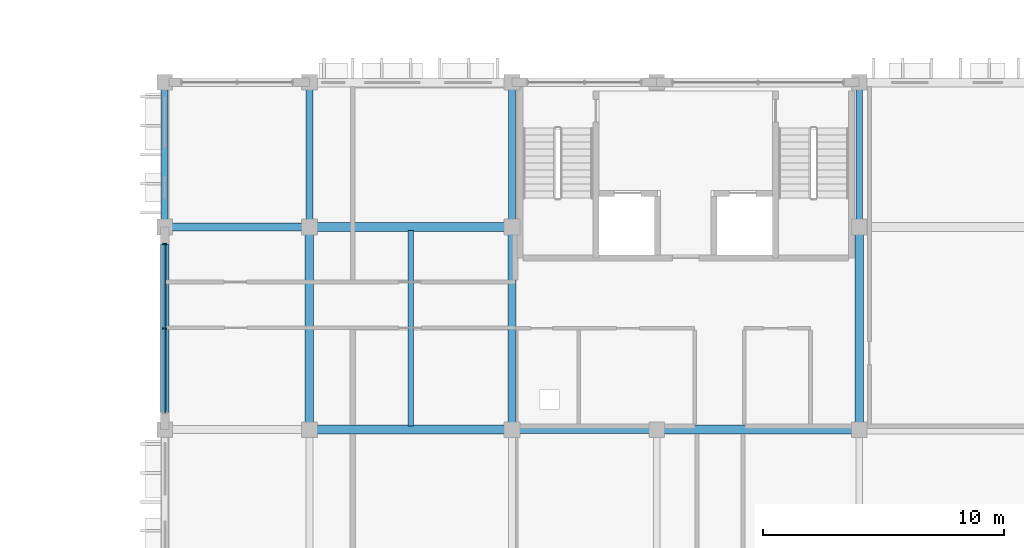
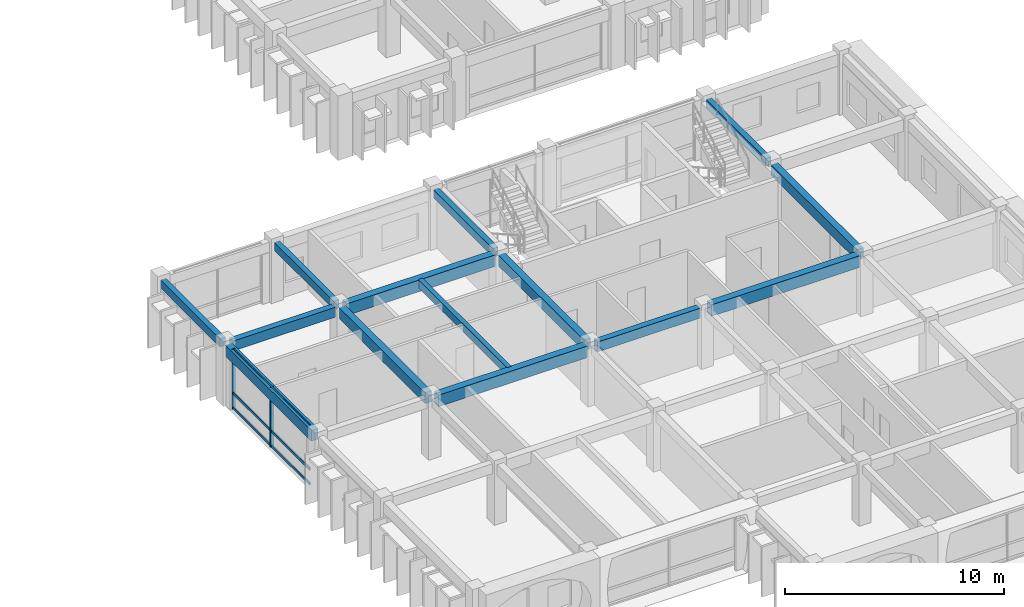
# One storey, part 35 of 88: 14 beams, 5 members, 1 element without a shape of its own.
"""IFC4 building model written with IfcOpenShell, lengths in metres."""

from ifc_helpers import new_model, si_unit, direction, frame, origin, origin_2d, place, context, subcontext, project, spatial, rectangle, extrude, material, material_profile, profile_set, type_object, element, aggregate, save


model = new_model("IFC4")

# Units and contexts
model_context = context("Model", 3, precision=1e-05, world=origin(), true_north=direction((0.0, 1.0)))
body_context = subcontext(model_context, "Body", "Model", "MODEL_VIEW")
ifc_project = project(units=[si_unit("LENGTHUNIT", "METRE"), si_unit("AREAUNIT", "SQUARE_METRE"), si_unit("VOLUMEUNIT", "CUBIC_METRE"), si_unit("PLANEANGLEUNIT", "RADIAN"), si_unit("MASSUNIT", "GRAM", prefix="KILO"), si_unit("THERMODYNAMICTEMPERATUREUNIT", "KELVIN")], contexts=[model_context])

# Site, building, storey
site_placement = place(None, origin())
site = spatial("IfcSite", under=ifc_project, at=site_placement, CompositionType="ELEMENT")
building_placement = place(site_placement, origin())
building = spatial("IfcBuilding", under=site, at=building_placement, Name="Thalorik Housing Commons", CompositionType="ELEMENT")
storey_placement = place(building_placement, frame((0.0, 0.0, 4.5)))
storey = spatial("IfcBuildingStorey", under=building, at=storey_placement, Name="L01", CompositionType="ELEMENT", Elevation=4.5)

# Curtain wall, members
ifc_material_1 = material(Name="Anodised aluminium and solar-control low-E glass", Category="aluminium")
curtain_wall_type = type_object("IfcCurtainWallType", Name="ARC-CW-LOUNGE", PredefinedType="USERDEFINED", material=ifc_material_1)
curtain_wall_placement = place(storey_placement, origin())
curtain_wall = element("IfcCurtainWall", 1, at=curtain_wall_placement, inside=storey, type_object=curtain_wall_type, Name="L01 Curtain Wall CW-RES-L01-D-174", ObjectType="CURTAIN WALL", PredefinedType="USERDEFINED")
ifc_material_2 = material(Name="Anodised aluminium 6063-T6", Category="aluminium")
ifc_material_profile_1 = material_profile(ifc_material_2, rectangle(XDim=0.06494140625, YDim=0.179931640625, at=origin_2d()), Name="ALU MUL 65x180", Category="aluminium")
ifc_profile_set_1 = profile_set([ifc_material_profile_1], Name="Anodised aluminium 6063-T6")
member_type_1 = type_object("IfcMemberType", Name="ARC-CW-MUL-65x180", PredefinedType="MULLION", material=ifc_profile_set_1)
member_1_placement = place(storey_placement, frame((138.0, 65.300048828125, 0.0), z_axis=(0.0, 0.0, 1.0), x_axis=(0.0, -1.0, 0.0)))
member_1 = element("IfcMember", 2, at=member_1_placement, type_object=member_type_1, Name="CW-RES-L01-D-174 Mullion 1", PredefinedType="MULLION", context=body_context, shape_type="SweptSolid", body=[
    extrude(rectangle(XDim=0.06494140625, YDim=0.179931640625, at=origin_2d()), origin(), (0.0, 0.0, 1.0), 3.340087890625),
])
member_2_placement = place(storey_placement, frame((138.0, 61.800048828125, 0.0), z_axis=(0.0, 0.0, 1.0), x_axis=(0.0, -1.0, 0.0)))
member_2 = element("IfcMember", 3, at=member_2_placement, type_object=member_type_1, Name="CW-RES-L01-D-174 Mullion 2", PredefinedType="MULLION", context=body_context, shape_type="SweptSolid", body=[
    extrude(rectangle(XDim=0.06494140625, YDim=0.179931640625, at=origin_2d()), origin(), (0.0, 0.0, 1.0), 3.340087890625),
])
ifc_material_profile_2 = material_profile(ifc_material_2, rectangle(XDim=0.06494140625, YDim=0.14990234375, at=origin_2d()), Name="ALU TRN 65x150", Category="aluminium")
ifc_profile_set_2 = profile_set([ifc_material_profile_2], Name="Anodised aluminium 6063-T6")
member_type_2 = type_object("IfcMemberType", Name="ARC-CW-TRN-65x150", PredefinedType="USERDEFINED", material=ifc_profile_set_2)
member_3_placement = place(storey_placement, frame((138.0, 65.300048828125, 0.054931640625), z_axis=(0.0, -1.0, 0.0), x_axis=(1.0, 0.0, 0.0)))
member_3 = element("IfcMember", 4, at=member_3_placement, type_object=member_type_2, Name="CW-RES-L01-D-174 Transom 1", ObjectType="TRANSOM", PredefinedType="USERDEFINED", context=body_context, shape_type="SweptSolid", body=[
    extrude(rectangle(XDim=0.06494140625, YDim=0.14990234375, at=origin_2d()), origin(), (0.0, 0.0, 1.0), 7.0),
])
member_4_placement = place(storey_placement, frame((138.0, 65.300048828125, 0.8798828125), z_axis=(0.0, -1.0, 0.0), x_axis=(1.0, 0.0, 0.0)))
member_4 = element("IfcMember", 5, at=member_4_placement, type_object=member_type_2, Name="CW-RES-L01-D-174 Transom 2", ObjectType="TRANSOM", PredefinedType="USERDEFINED", context=body_context, shape_type="SweptSolid", body=[
    extrude(rectangle(XDim=0.06494140625, YDim=0.14990234375, at=origin_2d()), origin(), (0.0, 0.0, 1.0), 7.0),
])
member_5_placement = place(storey_placement, frame((138.0, 65.300048828125, 3.284912109375), z_axis=(0.0, -1.0, 0.0), x_axis=(1.0, 0.0, 0.0)))
member_5 = element("IfcMember", 6, at=member_5_placement, type_object=member_type_2, Name="CW-RES-L01-D-174 Transom 3", ObjectType="TRANSOM", PredefinedType="USERDEFINED", context=body_context, shape_type="SweptSolid", body=[
    extrude(rectangle(XDim=0.06494140625, YDim=0.14990234375, at=origin_2d()), origin(), (0.0, 0.0, 1.0), 7.0),
])
aggregate(curtain_wall, [member_1, member_2, member_3, member_4, member_5])

# Beams
ifc_material_3 = material(Name="Precast concrete C40/50", Category="concrete")
ifc_material_profile_3 = material_profile(ifc_material_3, rectangle(XDim=0.280029296875, YDim=0.449951171875, at=origin_2d()), Name="PC 280x450", Category="concrete")
ifc_profile_set_3 = profile_set([ifc_material_profile_3], Name="Precast concrete C40/50")
beam_type_1 = type_object("IfcBeamType", Name="STR-BM-PC280x450", PredefinedType="BEAM", material=ifc_profile_set_3)
for number, where, z_axis, x_axis, name in (
    (7, (138.0, 66.27490234375, 3.114990234375), (0.0, 1.0, 0.0), (-1.0, 0.0, 0.0), "L01 Beam B-450"),
    (8, (144.0, 66.27490234375, 3.114990234375), (0.0, 1.0, 0.0), (-1.0, 0.0, 0.0), "L01 Beam B-450"),
    (9, (152.39990234375, 66.27490234375, 3.114990234375), (0.0, 1.0, 0.0), (-1.0, 0.0, 0.0), "L01 Beam B-450"),
    (10, (166.800048828125, 66.27490234375, 3.114990234375), (0.0, 1.0, 0.0), (-1.0, 0.0, 0.0), "L01 Beam B-450"),
):
    element("IfcBeam", number, at=place(storey_placement, frame(where, z_axis=z_axis, x_axis=x_axis)), inside=storey, type_object=beam_type_1, Name=name, PredefinedType="BEAM", context=body_context, shape_type="SweptSolid", body=[
        extrude(rectangle(XDim=0.280029296875, YDim=0.449951171875, at=origin_2d()), origin(), (0.0, 0.0, 1.0), 5.4501953125),
    ])
ifc_material_profile_4 = material_profile(ifc_material_3, rectangle(XDim=0.320068359375, YDim=0.550048828125, at=origin_2d()), Name="PC 320x550", Category="concrete")
ifc_profile_set_4 = profile_set([ifc_material_profile_4], Name="Precast concrete C40/50")
beam_type_2 = type_object("IfcBeamType", Name="STR-BM-PC320x550", PredefinedType="BEAM", material=ifc_profile_set_4)
beam_1_placement = place(storey_placement, frame((152.675048828125, 57.60009765625, 3.06494140625), z_axis=(1.0, 0.0, 0.0), x_axis=(0.0, 1.0, 0.0)))
element("IfcBeam", 11, at=beam_1_placement, inside=storey, type_object=beam_type_2, Name="L01 Beam B-550", PredefinedType="BEAM", context=body_context, shape_type="SweptSolid", body=[
    extrude(rectangle(XDim=0.320068359375, YDim=0.550048828125, at=origin_2d()), origin(), (0.0, 0.0, 1.0), 5.449951171875),
])
beam_2_placement = place(storey_placement, frame((138.27490234375, 66.0, 3.06494140625), z_axis=(1.0, 0.0, 0.0), x_axis=(0.0, 1.0, 0.0)))
element("IfcBeam", 12, at=beam_2_placement, inside=storey, type_object=beam_type_2, Name="L01 Beam B-550", PredefinedType="BEAM", context=body_context, shape_type="SweptSolid", body=[
    extrude(rectangle(XDim=0.320068359375, YDim=0.550048828125, at=origin_2d()), origin(), (0.0, 0.0, 1.0), 5.4501953125),
])
ifc_material_profile_5 = material_profile(ifc_material_3, rectangle(XDim=0.35009765625, YDim=0.60009765625, at=origin_2d()), Name="PC 350x600", Category="concrete")
ifc_profile_set_5 = profile_set([ifc_material_profile_5], Name="Precast concrete C40/50")
beam_type_3 = type_object("IfcBeamType", Name="STR-BM-PC350x600", PredefinedType="BEAM", material=ifc_profile_set_5)
for number, where, z_axis, x_axis, name in (
    (13, (138.0, 57.875, 3.0400390625), (0.0, 1.0, 0.0), (-1.0, 0.0, 0.0), "L01 Beam B-600"),
    (14, (144.0, 57.875, 3.0400390625), (0.0, 1.0, 0.0), (-1.0, 0.0, 0.0), "L01 Beam B-600"),
    (15, (152.39990234375, 57.875, 3.0400390625), (0.0, 1.0, 0.0), (-1.0, 0.0, 0.0), "L01 Beam B-600"),
    (16, (166.800048828125, 57.875, 3.0400390625), (0.0, 1.0, 0.0), (-1.0, 0.0, 0.0), "L01 Beam B-600"),
):
    element("IfcBeam", number, at=place(storey_placement, frame(where, z_axis=z_axis, x_axis=x_axis)), inside=storey, type_object=beam_type_3, Name=name, PredefinedType="BEAM", context=body_context, shape_type="SweptSolid", body=[
        extrude(rectangle(XDim=0.35009765625, YDim=0.60009765625, at=origin_2d()), origin(), (0.0, 0.0, 1.0), 7.85009765625),
    ])
ifc_material_profile_6 = material_profile(ifc_material_3, rectangle(XDim=0.3798828125, YDim=0.64990234375, at=origin_2d()), Name="PC 380x650", Category="concrete")
ifc_profile_set_6 = profile_set([ifc_material_profile_6], Name="Precast concrete C40/50")
beam_type_4 = type_object("IfcBeamType", Name="STR-BM-PC380x650", PredefinedType="BEAM", material=ifc_profile_set_6)
beam_3_placement = place(storey_placement, frame((144.27490234375, 57.60009765625, 3.014892578125), z_axis=(1.0, 0.0, 0.0), x_axis=(0.0, 1.0, 0.0)))
element("IfcBeam", 17, at=beam_3_placement, inside=storey, type_object=beam_type_4, Name="L01 Beam B-650", PredefinedType="BEAM", context=body_context, shape_type="SweptSolid", body=[
    extrude(rectangle(XDim=0.3798828125, YDim=0.64990234375, at=origin_2d()), origin(), (0.0, 0.0, 1.0), 7.85009765625),
])
beam_4_placement = place(storey_placement, frame((158.675048828125, 57.60009765625, 3.014892578125), z_axis=(1.0, 0.0, 0.0), x_axis=(0.0, 1.0, 0.0)))
element("IfcBeam", 18, at=beam_4_placement, inside=storey, type_object=beam_type_4, Name="L01 Beam B-650", PredefinedType="BEAM", context=body_context, shape_type="SweptSolid", body=[
    extrude(rectangle(XDim=0.3798828125, YDim=0.64990234375, at=origin_2d()), origin(), (0.0, 0.0, 1.0), 7.849853515625),
])
beam_5_placement = place(storey_placement, frame((144.27490234375, 66.0, 3.014892578125), z_axis=(1.0, 0.0, 0.0), x_axis=(0.0, 1.0, 0.0)))
element("IfcBeam", 19, at=beam_5_placement, inside=storey, type_object=beam_type_4, Name="L01 Beam B-650", PredefinedType="BEAM", context=body_context, shape_type="SweptSolid", body=[
    extrude(rectangle(XDim=0.3798828125, YDim=0.64990234375, at=origin_2d()), origin(), (0.0, 0.0, 1.0), 7.85009765625),
])
ifc_material_profile_7 = material_profile(ifc_material_3, rectangle(XDim=0.239990234375, YDim=0.43994140625, at=origin_2d()), Name="PC JST 240x440", Category="concrete")
ifc_profile_set_7 = profile_set([ifc_material_profile_7], Name="Precast concrete C40/50")
beam_type_5 = type_object("IfcBeamType", Name="STR-JST-PC240x440", PredefinedType="JOIST", material=ifc_profile_set_7)
beam_6_placement = place(storey_placement, frame((148.199951171875, 57.739990234375, 3.1201171875), z_axis=(0.0, 1.0, 0.0), x_axis=(-1.0, 0.0, 0.0)))
element("IfcBeam", 20, at=beam_6_placement, inside=storey, type_object=beam_type_5, Name="L01 Beam J-440", PredefinedType="JOIST", context=body_context, shape_type="SweptSolid", body=[
    extrude(rectangle(XDim=0.239990234375, YDim=0.43994140625, at=origin_2d()), origin(), (0.0, 0.0, 1.0), 8.1201171875),
])

save(model, "model.ifc")
